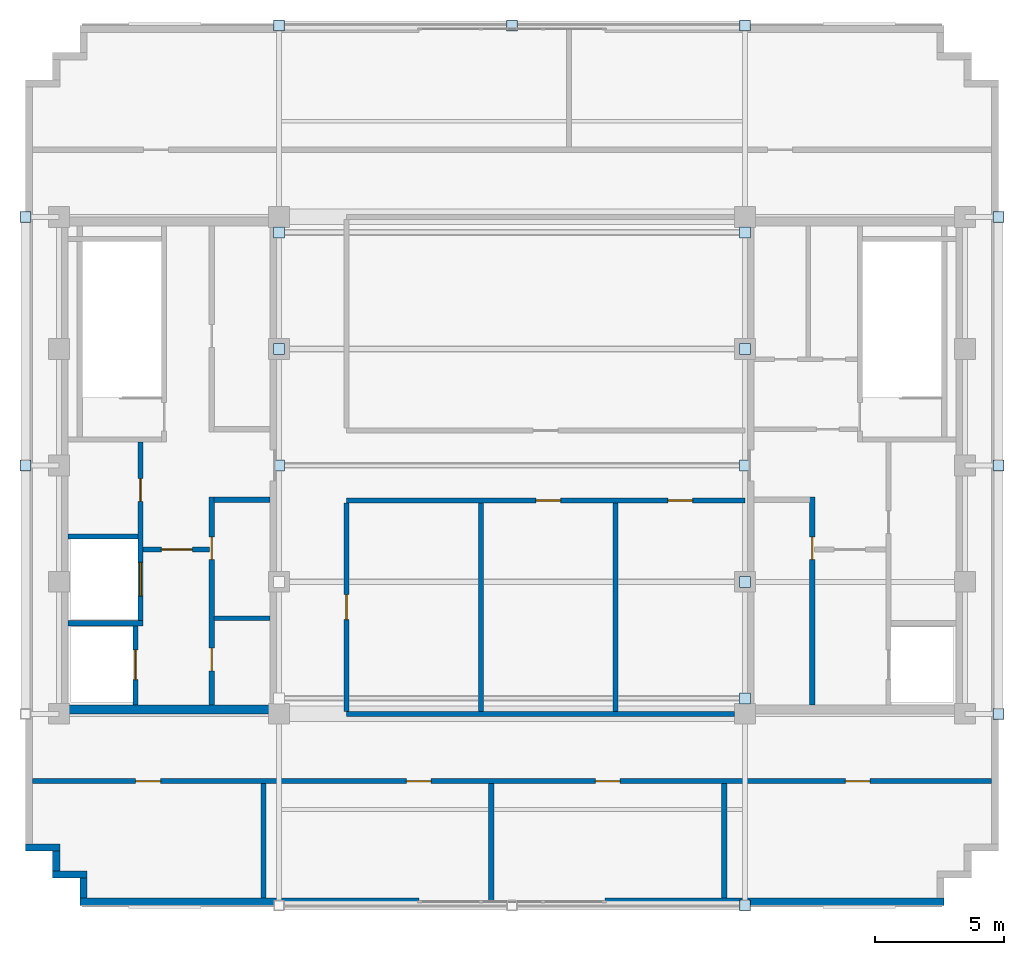
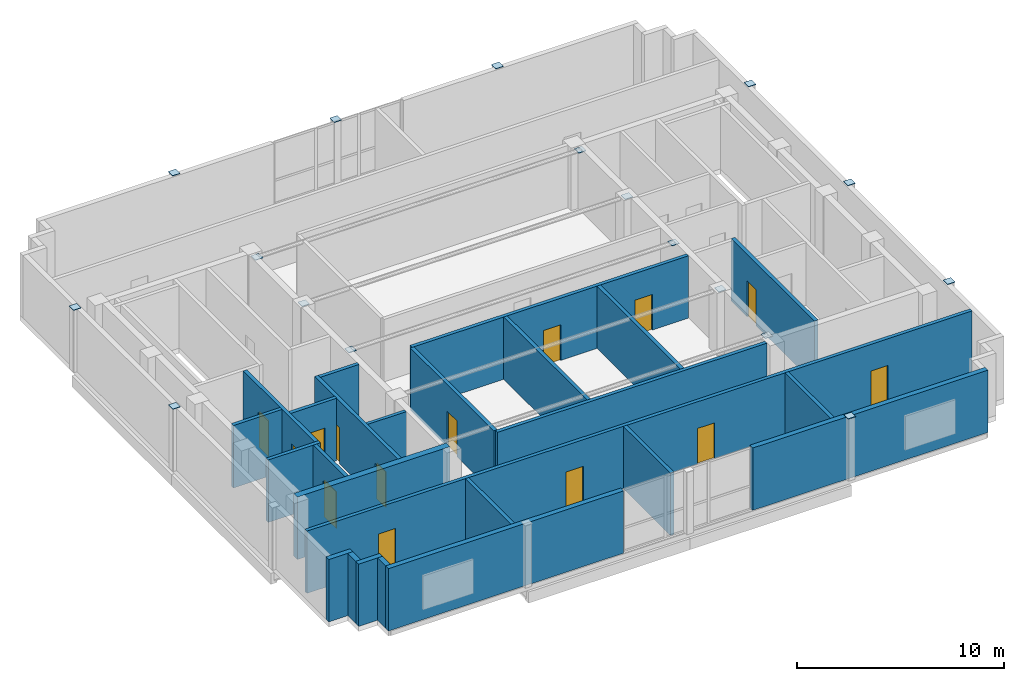
# One storey, part 2 of 7: 25 walls, 17 plates, 14 doors, 14 openings.
"""IFC4 building model written with IfcOpenShell, lengths in metres."""

from ifc_helpers import new_model, si_unit, direction, frame, frame_2d, origin, origin_2d, place, context, subcontext, project, spatial, rectangle, extrude, source, transform, mapped, material, layer, layer_set, type_object, type_shapes, element, fill, save


model = new_model("IFC4")

# Units and contexts
model_context = context("Model", 3, precision=1e-05, world=origin(), true_north=direction((0.0, 1.0)))
body_context = subcontext(model_context, "Body", "Model", "MODEL_VIEW")
ifc_project = project(units=[si_unit("LENGTHUNIT", "METRE"), si_unit("AREAUNIT", "SQUARE_METRE"), si_unit("VOLUMEUNIT", "CUBIC_METRE"), si_unit("PLANEANGLEUNIT", "RADIAN"), si_unit("MASSUNIT", "GRAM", prefix="KILO")], contexts=[model_context])

# Site, building, storey
site_placement = place(None, origin())
site = spatial("IfcSite", under=ifc_project, at=site_placement, CompositionType="ELEMENT")
building_placement = place(site_placement, origin())
building = spatial("IfcBuilding", under=site, at=building_placement, Name="Nuvemarco Arch Tower", CompositionType="ELEMENT")
storey_placement = place(building_placement, frame((0.0, 0.0, 307.14990234375)))
storey = spatial("IfcBuildingStorey", under=building, at=storey_placement, Name="L81", CompositionType="ELEMENT", Elevation=307.14990234375)

# Plates
ifc_material_1 = material(Name="Steel S355", Category="steel")
ifc_layer_1 = layer(ifc_material_1, 0.030029296875, Name="PL-CAP-400-EXT")
ifc_layer_set_1 = layer_set([ifc_layer_1], Name="Steel S355")
plate_type_1 = type_object("IfcPlateType", Name="PL-CAP-400-EXT", PredefinedType="SHEET", material=ifc_layer_set_1)
shared_shape_1 = source(origin(), body_context, "Body", "SweptSolid", [
    extrude(rectangle(XDim=0.419921875, YDim=0.419921875, at=origin_2d()), origin(), (0.0, 0.0, 1.0), 0.030029296875),
])
type_shapes(plate_type_1, [shared_shape_1])
for number, where, z_axis, x_axis, name in (
    (1, (-18.800048828125, 0.0, 3.6650390625), (0.0, 0.0, 1.0), (1.0, 0.0, 0.0), "Hollow steel end-cap plate COL-L81-CX_-18.8_+0.0_TOP"),
    (2, (-18.800048828125, 9.60009765625, 3.6650390625), (0.0, 0.0, 1.0), (1.0, 0.0, 0.0), "Hollow steel end-cap plate COL-L81-CX_-18.8_+9.6_TOP"),
    (3, (18.800048828125, -9.60009765625, 3.6650390625), (0.0, 0.0, 1.0), (1.0, 0.0, 0.0), "Hollow steel end-cap plate COL-L81-CX_+18.8_-9.6_TOP"),
    (4, (18.800048828125, 0.0, 3.6650390625), (0.0, 0.0, 1.0), (1.0, 0.0, 0.0), "Hollow steel end-cap plate COL-L81-CX_+18.8_+0.0_TOP"),
    (5, (18.800048828125, 9.60009765625, 3.6650390625), (0.0, 0.0, 1.0), (1.0, 0.0, 0.0), "Hollow steel end-cap plate COL-L81-CX_+18.8_+9.6_TOP"),
    (6, (9.0, -17.0, 3.6650390625), (0.0, 0.0, 1.0), (1.0, 0.0, 0.0), "Hollow steel end-cap plate COL-L81-CY_+9.0_-17.0_TOP"),
    (7, (-9.0, 17.0, 3.6650390625), (0.0, 0.0, 1.0), (1.0, 0.0, 0.0), "Hollow steel end-cap plate COL-L81-CY_-9.0_+17.0_TOP"),
    (8, (0.0, 17.0, 3.6650390625), (0.0, 0.0, 1.0), (1.0, 0.0, 0.0), "Hollow steel end-cap plate COL-L81-CY_+0.0_+17.0_TOP"),
    (9, (9.0, 17.0, 3.6650390625), (0.0, 0.0, 1.0), (1.0, 0.0, 0.0), "Hollow steel end-cap plate COL-L81-CY_+9.0_+17.0_TOP"),
):
    element("IfcPlate", number, at=place(storey_placement, frame(where, z_axis=z_axis, x_axis=x_axis)), inside=storey, type_object=plate_type_1, Name=name, PredefinedType="SHEET", context=body_context, shape_type="MappedRepresentation", body=[
        mapped(shared_shape_1, transform((0.0, 0.0, 0.0), scale=1.0)),
    ])
ifc_layer_2 = layer(ifc_material_1, 0.030029296875, Name="PL-CAP-400")
ifc_layer_set_2 = layer_set([ifc_layer_2], Name="Steel S355")
plate_type_2 = type_object("IfcPlateType", Name="PL-CAP-400", PredefinedType="SHEET", material=ifc_layer_set_2)
shared_shape_2 = source(origin(), body_context, "Body", "SweptSolid", [
    extrude(rectangle(XDim=0.419921875, YDim=0.419921875, at=origin_2d()), origin(), (0.0, 0.0, 1.0), 0.030029296875),
])
type_shapes(plate_type_2, [shared_shape_2])
for number, where, z_axis, x_axis, name in (
    (10, (9.0, -9.0, 3.5556640625), (0.0, 0.0, 1.0), (1.0, 0.0, 0.0), "Hollow steel end-cap plate CRN_PR_-9.0_C1"),
    (11, (9.0, -4.5, 3.5556640625), (0.0, 0.0, 1.0), (1.0, 0.0, 0.0), "Hollow steel end-cap plate CRN_PR_-4.5_C1"),
    (12, (-9.0, 0.0, 3.5556640625), (0.0, 0.0, 1.0), (1.0, 0.0, 0.0), "Hollow steel end-cap plate CRN_PR_+0.0_C0"),
    (13, (9.0, 0.0, 3.5556640625), (0.0, 0.0, 1.0), (1.0, 0.0, 0.0), "Hollow steel end-cap plate CRN_PR_+0.0_C1"),
    (14, (-9.0, 4.5, 3.5556640625), (0.0, 0.0, 1.0), (1.0, 0.0, 0.0), "Hollow steel end-cap plate CRN_PR_+4.5_C0"),
    (15, (9.0, 4.5, 3.5556640625), (0.0, 0.0, 1.0), (1.0, 0.0, 0.0), "Hollow steel end-cap plate CRN_PR_+4.5_C1"),
    (16, (-9.0, 9.0, 3.5556640625), (0.0, 0.0, 1.0), (1.0, 0.0, 0.0), "Hollow steel end-cap plate CRN_PR_+9.0_C0"),
    (17, (9.0, 9.0, 3.5556640625), (0.0, 0.0, 1.0), (1.0, 0.0, 0.0), "Hollow steel end-cap plate CRN_PR_+9.0_C1"),
):
    element("IfcPlate", number, at=place(storey_placement, frame(where, z_axis=z_axis, x_axis=x_axis)), inside=storey, type_object=plate_type_2, Name=name, PredefinedType="SHEET", context=body_context, shape_type="MappedRepresentation", body=[
        mapped(shared_shape_2, transform((0.0, 0.0, 0.0), scale=1.0)),
    ])

# Walls
ifc_material_2 = material(Name="Precast concrete C45/55", Category="concrete")
ifc_layer_3 = layer(ifc_material_2, 0.280029296875, Name="EW-CRN-280")
ifc_layer_set_3 = layer_set([ifc_layer_3], Name="Precast concrete C45/55")
wall_type_1 = type_object("IfcWallType", Name="EW-CRN-280", PredefinedType="STANDARD", material=ifc_layer_set_3)
for number, where, z_axis, x_axis, name in (
    (18, (-16.699951171875, -16.860107421875, 0.0), (0.0, 0.0, 1.0), (1.0, 0.0, 0.0), "L81 exterior precast pier wall south left"),
    (19, (3.60009765625, -16.860107421875, 0.0), (0.0, 0.0, 1.0), (1.0, 0.0, 0.0), "L81 exterior precast pier wall south right"),
):
    element("IfcWall", number, at=place(storey_placement, frame(where, z_axis=z_axis, x_axis=x_axis)), inside=storey, type_object=wall_type_1, Name=name, PredefinedType="STANDARD", context=body_context, shape_type="SweptSolid", body=[
        extrude(rectangle(XDim=13.099853515625, YDim=0.280029296875, at=frame_2d((6.5498046875, 0.0))), origin(), (0.0, 0.0, 1.0), 3.670166015625),
    ])
wall_1_placement = place(storey_placement, frame((-18.800048828125, -14.760009765625, 0.0), z_axis=(0.0, 0.0, 1.0), x_axis=(1.0, 0.0, 0.0)))
element("IfcWall", 20, at=wall_1_placement, inside=storey, type_object=wall_type_1, Name="L81 exterior precast facade wall 17", PredefinedType="STANDARD", context=body_context, shape_type="SweptSolid", body=[
    extrude(rectangle(XDim=1.330078125, YDim=0.280029296875, at=frame_2d((0.6650390625, 0.0))), origin(), (0.0, 0.0, 1.0), 3.670166015625),
])
wall_2_placement = place(storey_placement, frame((-17.610107421875, -15.674072265625, 0.0), z_axis=(0.0, 0.0, 1.0), x_axis=(0.0, 1.0, 0.0)))
element("IfcWall", 21, at=wall_2_placement, inside=storey, type_object=wall_type_1, Name="L81 exterior precast facade wall 18", PredefinedType="STANDARD", context=body_context, shape_type="SweptSolid", body=[
    extrude(rectangle(XDim=0.778076171875, YDim=0.280029296875, at=frame_2d((0.38916015625, 0.0))), origin(), (0.0, 0.0, 1.0), 3.670166015625),
])
wall_3_placement = place(storey_placement, frame((-17.75, -15.81005859375, 0.0), z_axis=(0.0, 0.0, 1.0), x_axis=(1.0, 0.0, 0.0)))
element("IfcWall", 22, at=wall_3_placement, inside=storey, type_object=wall_type_1, Name="L81 exterior precast facade wall 19", PredefinedType="STANDARD", context=body_context, shape_type="SweptSolid", body=[
    extrude(rectangle(XDim=1.330078125, YDim=0.280029296875, at=frame_2d((0.6650390625, 0.0))), origin(), (0.0, 0.0, 1.0), 3.670166015625),
])
wall_4_placement = place(storey_placement, frame((-16.56005859375, -16.72412109375, 0.0), z_axis=(0.0, 0.0, 1.0), x_axis=(0.0, 1.0, 0.0)))
element("IfcWall", 23, at=wall_4_placement, inside=storey, type_object=wall_type_1, Name="L81 exterior precast facade wall 20", PredefinedType="STANDARD", context=body_context, shape_type="SweptSolid", body=[
    extrude(rectangle(XDim=0.778076171875, YDim=0.280029296875, at=frame_2d((0.38916015625, 0.0))), origin(), (0.0, 0.0, 1.0), 3.670166015625),
])
ifc_material_3 = material(Name="Concrete C50/60", Category="concrete")
ifc_layer_4 = layer(ifc_material_3, 0.35009765625, Name="WL-CORE-350")
ifc_layer_set_4 = layer_set([ifc_layer_4], Name="Concrete C50/60")
wall_type_2 = type_object("IfcWallType", Name="WL-CORE-350", PredefinedType="SHEAR", material=ifc_layer_set_4)
wall_5_placement = place(storey_placement, frame((-17.5, -9.425048828125, 0.0), z_axis=(0.0, 0.0, 1.0), x_axis=(1.0, 0.0, 0.0)))
element("IfcWall", 24, at=wall_5_placement, inside=storey, type_object=wall_type_2, Name="L81 W-core shear wall S", PredefinedType="SHEAR", context=body_context, shape_type="SweptSolid", body=[
    extrude(rectangle(XDim=8.5, YDim=0.35009765625, at=frame_2d((4.25, 0.0))), origin(), (0.0, 0.0, 1.0), 3.68017578125),
])
ifc_material_4 = material(Name="Fire-rated gypsum drywall partition")
ifc_layer_5 = layer(ifc_material_4, 0.179931640625, Name="WL-CORR-180")
ifc_layer_set_5 = layer_set([ifc_layer_5], Name="Fire-rated gypsum drywall partition")
wall_type_3 = type_object("IfcWallType", Name="WL-CORR-180", PredefinedType="PARTITIONING", material=ifc_layer_set_5)
wall_6_placement = place(storey_placement, frame((-11.5048828125, -5.89990234375, 0.0), z_axis=(0.0, 0.0, 1.0), x_axis=(1.0, 0.0, 0.0)))
element("IfcWall", 25, at=wall_6_placement, inside=storey, type_object=wall_type_3, Name="L81 interior wall IW-L81-W-RECK3", PredefinedType="PARTITIONING", context=body_context, shape_type="SweptSolid", body=[
    extrude(rectangle(XDim=2.159912109375, YDim=0.179931640625, at=frame_2d((1.080078125, 0.0))), origin(), (0.0, 0.0, 1.0), 3.670166015625),
])

# Wall, openings, doors
ifc_layer_6 = layer(ifc_material_2, 0.199951171875, Name="WL-PLANT-200")
ifc_layer_set_6 = layer_set([ifc_layer_6], Name="Precast concrete C45/55")
wall_type_4 = type_object("IfcWallType", Name="WL-PLANT-200", PredefinedType="STANDARD", material=ifc_layer_set_6)
wall_7_placement = place(storey_placement, frame((-18.52001953125, -12.199951171875, 0.0), z_axis=(0.0, 0.0, 1.0), x_axis=(1.0, 0.0, 0.0)))
wall_7 = element("IfcWall", 26, at=wall_7_placement, inside=storey, type_object=wall_type_4, Name="L81 interior wall IW-L81-001", PredefinedType="STANDARD", context=body_context, shape_type="SweptSolid", body=[
    extrude(rectangle(XDim=37.0400390625, YDim=0.199951171875, at=frame_2d((18.52001953125, 0.0))), origin(), (0.0, 0.0, 1.0), 3.670166015625),
])
opening_1_placement = place(wall_7_placement, frame((31.39990234375, 0.0, 0.0)))
opening_1 = element("IfcOpeningElement", 27, at=opening_1_placement, cuts=wall_7, Name="Opening FD-5", PredefinedType="OPENING", context=body_context, shape_type="SweptSolid", body=[
    extrude(rectangle(XDim=0.9599609375, YDim=2.10009765625, at=frame_2d((0.47998046875, 1.050048828125))), frame((0.0, 0.10986328125, 0.0), z_axis=(0.0, -1.0, 0.0), x_axis=(1.0, 0.0, 0.0)), (0.0, 0.0, 1.0), 0.219970703125),
])
opening_2_placement = place(wall_7_placement, frame((21.739990234375, 0.0, 0.0)))
opening_2 = element("IfcOpeningElement", 28, at=opening_2_placement, cuts=wall_7, Name="Opening FD-5", PredefinedType="OPENING", context=body_context, shape_type="SweptSolid", body=[
    extrude(rectangle(XDim=0.9599609375, YDim=2.10009765625, at=frame_2d((0.47998046875, 1.050048828125))), frame((0.0, 0.10986328125, 0.0), z_axis=(0.0, -1.0, 0.0), x_axis=(1.0, 0.0, 0.0)), (0.0, 0.0, 1.0), 0.219970703125),
])
opening_3_placement = place(wall_7_placement, frame((3.97998046875, 0.0, 0.0)))
opening_3 = element("IfcOpeningElement", 29, at=opening_3_placement, cuts=wall_7, Name="Opening FD-5", PredefinedType="OPENING", context=body_context, shape_type="SweptSolid", body=[
    extrude(rectangle(XDim=0.9599609375, YDim=2.10009765625, at=frame_2d((0.47998046875, 1.050048828125))), frame((0.0, 0.10986328125, 0.0), z_axis=(0.0, -1.0, 0.0), x_axis=(1.0, 0.0, 0.0)), (0.0, 0.0, 1.0), 0.219970703125),
])
opening_4_placement = place(wall_7_placement, frame((14.43994140625, 0.0, 0.0)))
opening_4 = element("IfcOpeningElement", 30, at=opening_4_placement, cuts=wall_7, Name="Opening FD-5", PredefinedType="OPENING", context=body_context, shape_type="SweptSolid", body=[
    extrude(rectangle(XDim=0.9599609375, YDim=2.10009765625, at=frame_2d((0.47998046875, 1.050048828125))), frame((0.0, 0.10986328125, 0.0), z_axis=(0.0, -1.0, 0.0), x_axis=(1.0, 0.0, 0.0)), (0.0, 0.0, 1.0), 0.219970703125),
])
ifc_material_5 = material(Name="Timber fire door", Category="wood")
door_type_1 = type_object("IfcDoorType", Name="DR-CORR-FD", OperationType="NOTDEFINED", PredefinedType="DOOR", material=ifc_material_5)
shared_shape_3 = source(origin(), body_context, "Body", "SweptSolid", [
    extrude(rectangle(XDim=0.9599609375, YDim=2.10009765625, at=frame_2d((0.47998046875, 1.050048828125))), frame((0.0, 0.02490234375, 0.0), z_axis=(0.0, -1.0, 0.0), x_axis=(1.0, 0.0, 0.0)), (0.0, 0.0, 1.0), 0.050048828125),
])
type_shapes(door_type_1, [shared_shape_3])
door_1_placement = place(opening_1_placement, origin())
door_1 = element("IfcDoor", 31, at=door_1_placement, inside=storey, type_object=door_type_1, Name="L81 door DR-L81-CRN_S4", OperationType="SINGLE_SWING_LEFT", OverallHeight=2.10009765625, OverallWidth=0.9599609375, PredefinedType="DOOR", context=body_context, shape_type="MappedRepresentation", body=[
    mapped(shared_shape_3, transform((0.0, 0.0, 0.0), scale=1.0)),
])
fill(opening_1, door_1)
door_2_placement = place(opening_2_placement, origin())
door_2 = element("IfcDoor", 32, at=door_2_placement, inside=storey, type_object=door_type_1, Name="L81 door DR-L81-CRN_S3", OperationType="SINGLE_SWING_LEFT", OverallHeight=2.10009765625, OverallWidth=0.9599609375, PredefinedType="DOOR", context=body_context, shape_type="MappedRepresentation", body=[
    mapped(shared_shape_3, transform((0.0, 0.0, 0.0), scale=1.0)),
])
fill(opening_2, door_2)
door_3_placement = place(opening_3_placement, origin())
door_3 = element("IfcDoor", 33, at=door_3_placement, inside=storey, type_object=door_type_1, Name="L81 door DR-L81-CRN_S1", OperationType="SINGLE_SWING_RIGHT", OverallHeight=2.10009765625, OverallWidth=0.9599609375, PredefinedType="DOOR", context=body_context, shape_type="MappedRepresentation", body=[
    mapped(shared_shape_3, transform((0.0, 0.0, 0.0), scale=1.0)),
])
fill(opening_3, door_3)
door_4_placement = place(opening_4_placement, origin())
door_4 = element("IfcDoor", 34, at=door_4_placement, inside=storey, type_object=door_type_1, Name="L81 door DR-L81-CRN_S2", OperationType="SINGLE_SWING_RIGHT", OverallHeight=2.10009765625, OverallWidth=0.9599609375, PredefinedType="DOOR", context=body_context, shape_type="MappedRepresentation", body=[
    mapped(shared_shape_3, transform((0.0, 0.0, 0.0), scale=1.0)),
])
fill(opening_4, door_4)

# Wall
wall_8_placement = place(storey_placement, frame((-6.39990234375, -9.60009765625, 0.0), z_axis=(0.0, 0.0, 1.0), x_axis=(1.0, 0.0, 0.0)))
element("IfcWall", 35, at=wall_8_placement, inside=storey, type_object=wall_type_4, Name="L81 interior wall IW-L81-002", PredefinedType="STANDARD", context=body_context, shape_type="SweptSolid", body=[
    extrude(rectangle(XDim=15.00390625, YDim=0.199951171875, at=frame_2d((7.501953125, 0.0))), origin(), (0.0, 0.0, 1.0), 3.670166015625),
])

# Wall, openings, doors
wall_9_placement = place(storey_placement, frame((-6.39990234375, -1.35009765625, 0.0), z_axis=(0.0, 0.0, 1.0), x_axis=(1.0, 0.0, 0.0)))
wall_9 = element("IfcWall", 36, at=wall_9_placement, inside=storey, type_object=wall_type_4, Name="L81 interior wall IW-L81-003", PredefinedType="STANDARD", context=body_context, shape_type="SweptSolid", body=[
    extrude(rectangle(XDim=15.39990234375, YDim=0.199951171875, at=frame_2d((7.699951171875, 0.0))), origin(), (0.0, 0.0, 1.0), 3.670166015625),
])
opening_5_placement = place(wall_9_placement, frame((7.320068359375, 0.0, 0.0)))
opening_5 = element("IfcOpeningElement", 37, at=opening_5_placement, cuts=wall_9, Name="Opening FD-5", PredefinedType="OPENING", context=body_context, shape_type="SweptSolid", body=[
    extrude(rectangle(XDim=0.9599609375, YDim=2.10009765625, at=frame_2d((0.47998046875, 1.050048828125))), frame((0.0, 0.10986328125, 0.0), z_axis=(0.0, -1.0, 0.0), x_axis=(1.0, 0.0, 0.0)), (0.0, 0.0, 1.0), 0.219970703125),
])
opening_6_placement = place(wall_9_placement, frame((12.419921875, 0.0, 0.0)))
opening_6 = element("IfcOpeningElement", 38, at=opening_6_placement, cuts=wall_9, Name="Opening FD-5", PredefinedType="OPENING", context=body_context, shape_type="SweptSolid", body=[
    extrude(rectangle(XDim=0.9599609375, YDim=2.10009765625, at=frame_2d((0.47998046875, 1.050048828125))), frame((0.0, 0.10986328125, 0.0), z_axis=(0.0, -1.0, 0.0), x_axis=(1.0, 0.0, 0.0)), (0.0, 0.0, 1.0), 0.219970703125),
])
door_5_placement = place(opening_5_placement, origin())
door_5 = element("IfcDoor", 39, at=door_5_placement, inside=storey, type_object=door_type_1, Name="L81 door DR-L81-CRN_BMS2", OperationType="SINGLE_SWING_LEFT", OverallHeight=2.10009765625, OverallWidth=0.9599609375, PredefinedType="DOOR", context=body_context, shape_type="MappedRepresentation", body=[
    mapped(shared_shape_3, transform((0.0, 0.0, 0.0), scale=1.0)),
])
fill(opening_5, door_5)
door_6_placement = place(opening_6_placement, origin())
door_6 = element("IfcDoor", 40, at=door_6_placement, inside=storey, type_object=door_type_1, Name="L81 door DR-L81-CRN_BMS3", OperationType="SINGLE_SWING_RIGHT", OverallHeight=2.10009765625, OverallWidth=0.9599609375, PredefinedType="DOOR", context=body_context, shape_type="MappedRepresentation", body=[
    mapped(shared_shape_3, transform((0.0, 0.0, 0.0), scale=1.0)),
])
fill(opening_6, door_6)

# Wall
wall_10_placement = place(storey_placement, frame((-9.60009765625, -16.719970703125, 0.0), z_axis=(0.0, 0.0, 1.0), x_axis=(0.0, 1.0, 0.0)))
element("IfcWall", 41, at=wall_10_placement, inside=storey, type_object=wall_type_4, Name="L81 interior wall IW-L81-007", PredefinedType="STANDARD", context=body_context, shape_type="SweptSolid", body=[
    extrude(rectangle(XDim=4.424072265625, YDim=0.199951171875, at=frame_2d((2.2119140625, 0.0))), origin(), (0.0, 0.0, 1.0), 3.670166015625),
])

# Wall, opening, door
wall_11_placement = place(storey_placement, frame((-6.39990234375, -9.50390625, 0.0), z_axis=(0.0, 0.0, 1.0), x_axis=(0.0, 1.0, 0.0)))
wall_11 = element("IfcWall", 42, at=wall_11_placement, inside=storey, type_object=wall_type_4, Name="L81 interior wall IW-L81-008", PredefinedType="STANDARD", context=body_context, shape_type="SweptSolid", body=[
    extrude(rectangle(XDim=8.057861328125, YDim=0.199951171875, at=frame_2d((4.02880859375, 0.0))), origin(), (0.0, 0.0, 1.0), 3.670166015625),
])
opening_7_placement = place(wall_11_placement, frame((3.549072265625, 0.0, 0.0)))
opening_7 = element("IfcOpeningElement", 43, at=opening_7_placement, cuts=wall_11, Name="Opening FD-5", PredefinedType="OPENING", context=body_context, shape_type="SweptSolid", body=[
    extrude(rectangle(XDim=0.9599609375, YDim=2.10009765625, at=frame_2d((0.47998046875, 1.050048828125))), frame((0.0, 0.10986328125, 0.0), z_axis=(0.0, -1.0, 0.0), x_axis=(1.0, 0.0, 0.0)), (0.0, 0.0, 1.0), 0.219970703125),
])
door_7_placement = place(opening_7_placement, origin())
door_7 = element("IfcDoor", 44, at=door_7_placement, inside=storey, type_object=door_type_1, Name="L81 door DR-L81-CRN_BMS1", OperationType="SINGLE_SWING_LEFT", OverallHeight=2.10009765625, OverallWidth=0.9599609375, PredefinedType="DOOR", context=body_context, shape_type="MappedRepresentation", body=[
    mapped(shared_shape_3, transform((0.0, 0.0, 0.0), scale=1.0)),
])
fill(opening_7, door_7)

# Walls
wall_12_placement = place(storey_placement, frame((-1.199951171875, -9.50390625, 0.0), z_axis=(0.0, 0.0, 1.0), x_axis=(0.0, 1.0, 0.0)))
element("IfcWall", 45, at=wall_12_placement, inside=storey, type_object=wall_type_4, Name="L81 interior wall IW-L81-010", PredefinedType="STANDARD", context=body_context, shape_type="SweptSolid", body=[
    extrude(rectangle(XDim=8.057861328125, YDim=0.199951171875, at=frame_2d((4.02880859375, 0.0))), origin(), (0.0, 0.0, 1.0), 3.670166015625),
])
wall_13_placement = place(storey_placement, frame((-0.800048828125, -16.844970703125, 0.0), z_axis=(0.0, 0.0, 1.0), x_axis=(0.0, 1.0, 0.0)))
element("IfcWall", 46, at=wall_13_placement, inside=storey, type_object=wall_type_4, Name="L81 interior wall IW-L81-011", PredefinedType="STANDARD", context=body_context, shape_type="SweptSolid", body=[
    extrude(rectangle(XDim=4.549072265625, YDim=0.199951171875, at=frame_2d((2.2744140625, 0.0))), origin(), (0.0, 0.0, 1.0), 3.670166015625),
])
wall_14_placement = place(storey_placement, frame((4.0, -9.50390625, 0.0), z_axis=(0.0, 0.0, 1.0), x_axis=(0.0, 1.0, 0.0)))
element("IfcWall", 47, at=wall_14_placement, inside=storey, type_object=wall_type_4, Name="L81 interior wall IW-L81-013", PredefinedType="STANDARD", context=body_context, shape_type="SweptSolid", body=[
    extrude(rectangle(XDim=8.057861328125, YDim=0.199951171875, at=frame_2d((4.02880859375, 0.0))), origin(), (0.0, 0.0, 1.0), 3.670166015625),
])
wall_15_placement = place(storey_placement, frame((8.199951171875, -16.719970703125, 0.0), z_axis=(0.0, 0.0, 1.0), x_axis=(0.0, 1.0, 0.0)))
element("IfcWall", 48, at=wall_15_placement, inside=storey, type_object=wall_type_4, Name="L81 interior wall IW-L81-014", PredefinedType="STANDARD", context=body_context, shape_type="SweptSolid", body=[
    extrude(rectangle(XDim=4.424072265625, YDim=0.199951171875, at=frame_2d((2.2119140625, 0.0))), origin(), (0.0, 0.0, 1.0), 3.670166015625),
])

# Wall, opening, door
ifc_layer_7 = layer(ifc_material_3, 0.199951171875, Name="WL-SHAFT-220")
ifc_layer_set_7 = layer_set([ifc_layer_7], Name="Concrete C50/60")
wall_type_5 = type_object("IfcWallType", Name="WL-SHAFT-220", PredefinedType="SHEAR", material=ifc_layer_set_7)
wall_16_placement = place(storey_placement, frame((-14.550048828125, -9.2548828125, 0.0), z_axis=(0.0, 0.0, 1.0), x_axis=(0.0, 1.0, 0.0)))
wall_16 = element("IfcWall", 49, at=wall_16_placement, inside=storey, type_object=wall_type_5, Name="L81 structural shaft wall SW-L81-W-SHE", PredefinedType="SHEAR", context=body_context, shape_type="SweptSolid", body=[
    extrude(rectangle(XDim=3.059814453125, YDim=0.199951171875, at=frame_2d((1.52978515625, 0.0))), origin(), (0.0, 0.0, 1.0), 3.68017578125),
])
opening_8_placement = place(wall_16_placement, frame((0.97998046875, 0.0, 0.0)))
opening_8 = element("IfcOpeningElement", 50, at=opening_8_placement, cuts=wall_16, Name="Opening LD-2", PredefinedType="OPENING", context=body_context, shape_type="SweptSolid", body=[
    extrude(rectangle(XDim=1.14990234375, YDim=2.14990234375, at=frame_2d((0.574951171875, 1.074951171875))), frame((0.0, 0.10986328125, 0.0), z_axis=(0.0, -1.0, 0.0), x_axis=(1.0, 0.0, 0.0)), (0.0, 0.0, 1.0), 0.219970703125),
])
ifc_material_6 = material(Name="Stainless steel lift door", Category="steel")
door_type_2 = type_object("IfcDoorType", Name="DR-LIFT-FIRE", OperationType="DOUBLE_DOOR_SLIDING", PredefinedType="DOOR", material=ifc_material_6)
shared_shape_4 = source(origin(), body_context, "Body", "SweptSolid", [
    extrude(rectangle(XDim=1.14990234375, YDim=2.14990234375, at=frame_2d((0.574951171875, 1.074951171875))), frame((0.0, 0.02490234375, 0.0), z_axis=(0.0, -1.0, 0.0), x_axis=(1.0, 0.0, 0.0)), (0.0, 0.0, 1.0), 0.050048828125),
])
type_shapes(door_type_2, [shared_shape_4])
door_8_placement = place(opening_8_placement, origin())
door_8 = element("IfcDoor", 51, at=door_8_placement, inside=storey, type_object=door_type_2, Name="L81 Lift landing sliding door FFL-1", OperationType="DOUBLE_DOOR_SLIDING", OverallHeight=2.14990234375, OverallWidth=1.14990234375, PredefinedType="DOOR", context=body_context, shape_type="MappedRepresentation", body=[
    mapped(shared_shape_4, transform((0.0, 0.0, 0.0), scale=1.0)),
])
fill(opening_8, door_8)

# Wall, openings, doors
wall_17_placement = place(storey_placement, frame((-14.35009765625, -6.199951171875, 0.0), z_axis=(0.0, 0.0, 1.0), x_axis=(0.0, 1.0, 0.0)))
wall_17 = element("IfcWall", 52, at=wall_17_placement, inside=storey, type_object=wall_type_5, Name="L81 structural shaft wall SW-L81-W-SVE", PredefinedType="SHEAR", context=body_context, shape_type="SweptSolid", body=[
    extrude(rectangle(XDim=7.10498046875, YDim=0.199951171875, at=frame_2d((3.552490234375, 0.0))), origin(), (0.0, 0.0, 1.0), 3.68017578125),
])
opening_9_placement = place(wall_17_placement, frame((5.68994140625, 0.0, 0.0), z_axis=(0.0, 0.0, 1.0), x_axis=(-1.0, 0.0, 0.0)))
opening_9 = element("IfcOpeningElement", 53, at=opening_9_placement, cuts=wall_17, Name="Opening FD-4", PredefinedType="OPENING", context=body_context, shape_type="SweptSolid", body=[
    extrude(rectangle(XDim=0.8798828125, YDim=2.10009765625, at=frame_2d((0.43994140625, 1.050048828125))), frame((0.0, 0.10986328125, 0.0), z_axis=(0.0, -1.0, 0.0), x_axis=(1.0, 0.0, 0.0)), (0.0, 0.0, 1.0), 0.219970703125),
])
opening_10_placement = place(wall_17_placement, frame((1.14990234375, 0.0, 0.0)))
opening_10 = element("IfcOpeningElement", 54, at=opening_10_placement, cuts=wall_17, Name="Opening LD-3", PredefinedType="OPENING", context=body_context, shape_type="SweptSolid", body=[
    extrude(rectangle(XDim=1.300048828125, YDim=2.199951171875, at=frame_2d((0.64990234375, 1.10009765625))), frame((0.0, 0.10986328125, 0.0), z_axis=(0.0, -1.0, 0.0), x_axis=(1.0, 0.0, 0.0)), (0.0, 0.0, 1.0), 0.219970703125),
])
ifc_material_7 = material(Name="Anodised steel fire door", Category="steel")
door_type_3 = type_object("IfcDoorType", Name="DR-RISER-FD", OperationType="NOTDEFINED", PredefinedType="DOOR", material=ifc_material_7)
shared_shape_5 = source(origin(), body_context, "Body", "SweptSolid", [
    extrude(rectangle(XDim=0.8798828125, YDim=2.10009765625, at=frame_2d((0.43994140625, 1.050048828125))), frame((0.0, 0.02490234375, 0.0), z_axis=(0.0, -1.0, 0.0), x_axis=(1.0, 0.0, 0.0)), (0.0, 0.0, 1.0), 0.050048828125),
])
type_shapes(door_type_3, [shared_shape_5])
door_9_placement = place(opening_9_placement, origin())
door_9 = element("IfcDoor", 55, at=door_9_placement, inside=storey, type_object=door_type_3, Name="L81 door FD-L81-WRIS", OperationType="SINGLE_SWING_RIGHT", OverallHeight=2.10009765625, OverallWidth=0.8798828125, PredefinedType="DOOR", context=body_context, shape_type="MappedRepresentation", body=[
    mapped(shared_shape_5, transform((0.0, 0.0, 0.0), scale=1.0)),
])
fill(opening_9, door_9)
door_type_4 = type_object("IfcDoorType", Name="DR-LIFT-SERV", OperationType="DOUBLE_DOOR_SLIDING", PredefinedType="DOOR", material=ifc_material_6)
shared_shape_6 = source(origin(), body_context, "Body", "SweptSolid", [
    extrude(rectangle(XDim=1.300048828125, YDim=2.199951171875, at=frame_2d((0.64990234375, 1.10009765625))), frame((0.0, 0.02490234375, 0.0), z_axis=(0.0, -1.0, 0.0), x_axis=(1.0, 0.0, 0.0)), (0.0, 0.0, 1.0), 0.050048828125),
])
type_shapes(door_type_4, [shared_shape_6])
door_10_placement = place(opening_10_placement, origin())
door_10 = element("IfcDoor", 56, at=door_10_placement, inside=storey, type_object=door_type_4, Name="L81 Lift landing sliding door SVL-1", OperationType="DOUBLE_DOOR_SLIDING", OverallHeight=2.199951171875, OverallWidth=1.300048828125, PredefinedType="DOOR", context=body_context, shape_type="MappedRepresentation", body=[
    mapped(shared_shape_6, transform((0.0, 0.0, 0.0), scale=1.0)),
])
fill(opening_10, door_10)

# Walls
wall_18_placement = place(storey_placement, frame((-17.155029296875, -6.10009765625, 0.0), z_axis=(0.0, 0.0, 1.0), x_axis=(1.0, 0.0, 0.0)))
element("IfcWall", 57, at=wall_18_placement, inside=storey, type_object=wall_type_5, Name="L81 structural shaft wall SW-L81-W-SH1", PredefinedType="SHEAR", context=body_context, shape_type="SweptSolid", body=[
    extrude(rectangle(XDim=2.905029296875, YDim=0.199951171875, at=frame_2d((1.45263671875, 0.0))), origin(), (0.0, 0.0, 1.0), 3.68017578125),
])
wall_19_placement = place(storey_placement, frame((-17.155029296875, -2.75, 0.0), z_axis=(0.0, 0.0, 1.0), x_axis=(1.0, 0.0, 0.0)))
element("IfcWall", 58, at=wall_19_placement, inside=storey, type_object=wall_type_5, Name="L81 structural shaft wall SW-L81-W-SH2", PredefinedType="SHEAR", context=body_context, shape_type="SweptSolid", body=[
    extrude(rectangle(XDim=2.7099609375, YDim=0.199951171875, at=frame_2d((1.35498046875, 0.0))), origin(), (0.0, 0.0, 1.0), 3.68017578125),
])

# Wall, openings, doors
wall_20_placement = place(storey_placement, frame((-11.60009765625, -9.2548828125, 0.0), z_axis=(0.0, 0.0, 1.0), x_axis=(0.0, 1.0, 0.0)))
wall_20 = element("IfcWall", 59, at=wall_20_placement, inside=storey, type_object=wall_type_5, Name="L81 structural shaft wall SW-L81-W-PLW", PredefinedType="SHEAR", context=body_context, shape_type="SweptSolid", body=[
    extrude(rectangle(XDim=8.02490234375, YDim=0.199951171875, at=frame_2d((4.012451171875, 0.0))), origin(), (0.0, 0.0, 1.0), 3.68017578125),
])
opening_11_placement = place(wall_20_placement, frame((1.31494140625, 0.0, 0.0)))
opening_11 = element("IfcOpeningElement", 60, at=opening_11_placement, cuts=wall_20, Name="Opening FD-4", PredefinedType="OPENING", context=body_context, shape_type="SweptSolid", body=[
    extrude(rectangle(XDim=0.8798828125, YDim=2.10009765625, at=frame_2d((0.43994140625, 1.050048828125))), frame((0.0, 0.10986328125, 0.0), z_axis=(0.0, -1.0, 0.0), x_axis=(1.0, 0.0, 0.0)), (0.0, 0.0, 1.0), 0.219970703125),
])
opening_12_placement = place(wall_20_placement, frame((5.614990234375, 0.0, 0.0)))
opening_12 = element("IfcOpeningElement", 61, at=opening_12_placement, cuts=wall_20, Name="Opening FD-4", PredefinedType="OPENING", context=body_context, shape_type="SweptSolid", body=[
    extrude(rectangle(XDim=0.8798828125, YDim=2.10009765625, at=frame_2d((0.43994140625, 1.050048828125))), frame((0.0, 0.10986328125, 0.0), z_axis=(0.0, -1.0, 0.0), x_axis=(1.0, 0.0, 0.0)), (0.0, 0.0, 1.0), 0.219970703125),
])
door_11_placement = place(opening_11_placement, origin())
door_11 = element("IfcDoor", 62, at=door_11_placement, inside=storey, type_object=door_type_3, Name="L81 door FD-L81-WREC1", OperationType="SINGLE_SWING_RIGHT", OverallHeight=2.10009765625, OverallWidth=0.8798828125, PredefinedType="DOOR", context=body_context, shape_type="MappedRepresentation", body=[
    mapped(shared_shape_5, transform((0.0, 0.0, 0.0), scale=1.0)),
])
fill(opening_11, door_11)
door_12_placement = place(opening_12_placement, origin())
door_12 = element("IfcDoor", 63, at=door_12_placement, inside=storey, type_object=door_type_3, Name="L81 door FD-L81-WREC2", OperationType="SINGLE_SWING_LEFT", OverallHeight=2.10009765625, OverallWidth=0.8798828125, PredefinedType="DOOR", context=body_context, shape_type="MappedRepresentation", body=[
    mapped(shared_shape_5, transform((0.0, 0.0, 0.0), scale=1.0)),
])
fill(opening_12, door_12)

# Wall, opening, door
wall_21_placement = place(storey_placement, frame((-14.2548828125, -3.25, 0.0), z_axis=(0.0, 0.0, 1.0), x_axis=(1.0, 0.0, 0.0)))
wall_21 = element("IfcWall", 64, at=wall_21_placement, inside=storey, type_object=wall_type_5, Name="L81 structural shaft wall SW-L81-W-FFN", PredefinedType="SHEAR", context=body_context, shape_type="SweptSolid", body=[
    extrude(rectangle(XDim=2.559814453125, YDim=0.199951171875, at=frame_2d((1.27978515625, 0.0))), origin(), (0.0, 0.0, 1.0), 3.68017578125),
])
opening_13_placement = place(wall_21_placement, frame((0.705078125, 0.0, 0.0)))
opening_13 = element("IfcOpeningElement", 65, at=opening_13_placement, cuts=wall_21, Name="Opening FD-2", PredefinedType="OPENING", context=body_context, shape_type="SweptSolid", body=[
    extrude(rectangle(XDim=1.199951171875, YDim=2.14990234375, at=frame_2d((0.60009765625, 1.074951171875))), frame((0.0, 0.10986328125, 0.0), z_axis=(0.0, -1.0, 0.0), x_axis=(1.0, 0.0, 0.0)), (0.0, 0.0, 1.0), 0.219970703125),
])
door_type_5 = type_object("IfcDoorType", Name="DR-FFLOB-FD", OperationType="NOTDEFINED", PredefinedType="DOOR", material=ifc_material_7)
shared_shape_7 = source(origin(), body_context, "Body", "SweptSolid", [
    extrude(rectangle(XDim=1.199951171875, YDim=2.14990234375, at=frame_2d((0.60009765625, 1.074951171875))), frame((0.0, 0.02490234375, 0.0), z_axis=(0.0, -1.0, 0.0), x_axis=(1.0, 0.0, 0.0)), (0.0, 0.0, 1.0), 0.050048828125),
])
type_shapes(door_type_5, [shared_shape_7])
door_13_placement = place(opening_13_placement, origin())
door_13 = element("IfcDoor", 66, at=door_13_placement, inside=storey, type_object=door_type_5, Name="L81 door FD-L81-WFF1", OperationType="SINGLE_SWING_RIGHT", OverallHeight=2.14990234375, OverallWidth=1.199951171875, PredefinedType="DOOR", context=body_context, shape_type="MappedRepresentation", body=[
    mapped(shared_shape_7, transform((0.0, 0.0, 0.0), scale=1.0)),
])
fill(opening_13, door_13)

# Wall
wall_22_placement = place(storey_placement, frame((-11.5048828125, -1.330078125, 0.0), z_axis=(0.0, 0.0, 1.0), x_axis=(1.0, 0.0, 0.0)))
element("IfcWall", 67, at=wall_22_placement, inside=storey, type_object=wall_type_5, Name="L81 structural shaft wall SW-L81-W-PLTOP", PredefinedType="SHEAR", context=body_context, shape_type="SweptSolid", body=[
    extrude(rectangle(XDim=2.159912109375, YDim=0.199951171875, at=frame_2d((1.080078125, 0.0))), origin(), (0.0, 0.0, 1.0), 3.68017578125),
])

# Wall, opening, door
wall_23_placement = place(storey_placement, frame((11.60009765625, -9.2548828125, 0.0), z_axis=(0.0, 0.0, 1.0), x_axis=(0.0, 1.0, 0.0)))
wall_23 = element("IfcWall", 68, at=wall_23_placement, inside=storey, type_object=wall_type_5, Name="L81 structural shaft wall SW-L81-E-PME", PredefinedType="SHEAR", context=body_context, shape_type="SweptSolid", body=[
    extrude(rectangle(XDim=8.02490234375, YDim=0.199951171875, at=frame_2d((4.012451171875, 0.0))), origin(), (0.0, 0.0, 1.0), 3.68017578125),
])
opening_14_placement = place(wall_23_placement, frame((5.614990234375, 0.0, 0.0)))
opening_14 = element("IfcOpeningElement", 69, at=opening_14_placement, cuts=wall_23, Name="Opening FD-4", PredefinedType="OPENING", context=body_context, shape_type="SweptSolid", body=[
    extrude(rectangle(XDim=0.8798828125, YDim=2.10009765625, at=frame_2d((0.43994140625, 1.050048828125))), frame((0.0, 0.10986328125, 0.0), z_axis=(0.0, -1.0, 0.0), x_axis=(1.0, 0.0, 0.0)), (0.0, 0.0, 1.0), 0.219970703125),
])
door_14_placement = place(opening_14_placement, origin())
door_14 = element("IfcDoor", 70, at=door_14_placement, inside=storey, type_object=door_type_3, Name="L81 door FD-L81-ERECPM", OperationType="SINGLE_SWING_RIGHT", OverallHeight=2.10009765625, OverallWidth=0.8798828125, PredefinedType="DOOR", context=body_context, shape_type="MappedRepresentation", body=[
    mapped(shared_shape_5, transform((0.0, 0.0, 0.0), scale=1.0)),
])
fill(opening_14, door_14)

save(model, "model.ifc")
